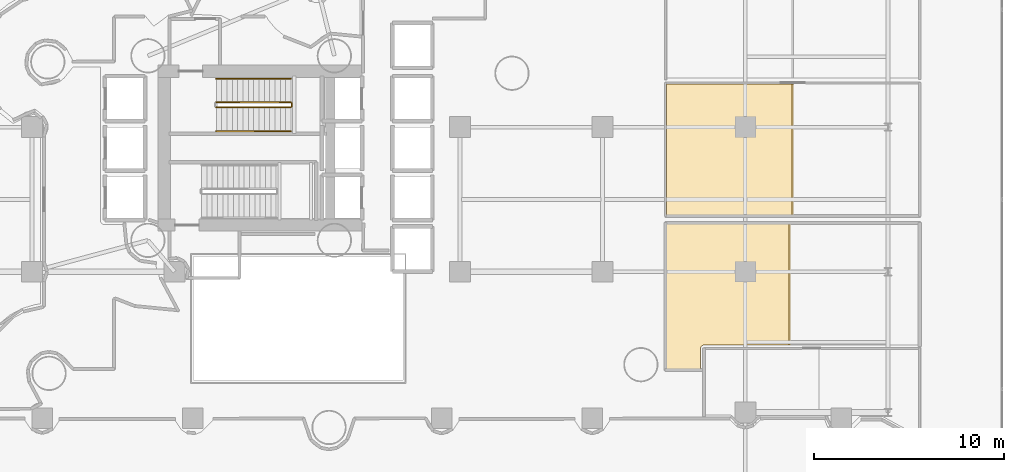
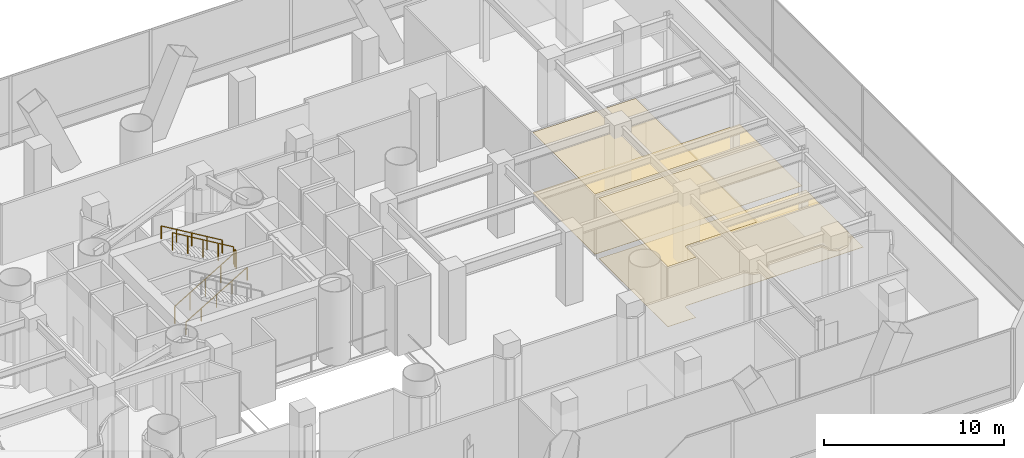
# One storey, part 40 of 42: 5 railings, 4 coverings.
"""IFC4 building model written with IfcOpenShell, lengths in metres."""

from ifc_helpers import new_model, si_unit, direction, frame, origin, origin_2d, place, context, subcontext, project, spatial, polyline, rectangle, outline, extrude, material, layer, layer_set, type_object, element, save


model = new_model("IFC4")

# Units and contexts
model_context = context("Model", 3, precision=1e-05, world=origin(), true_north=direction((0.0, 1.0)))
body_context = subcontext(model_context, "Body", "Model", "MODEL_VIEW")
ifc_project = project(units=[si_unit("LENGTHUNIT", "METRE"), si_unit("AREAUNIT", "SQUARE_METRE"), si_unit("VOLUMEUNIT", "CUBIC_METRE"), si_unit("PLANEANGLEUNIT", "RADIAN"), si_unit("MASSUNIT", "GRAM", prefix="KILO")], contexts=[model_context])

# Site, building, storey
site_placement = place(None, origin())
site = spatial("IfcSite", under=ifc_project, at=site_placement, CompositionType="ELEMENT")
building_placement = place(site_placement, origin())
building = spatial("IfcBuilding", under=site, at=building_placement, Name="Qianvela Tower", CompositionType="ELEMENT")
storey_placement = place(building_placement, frame((0.0, 0.0, 6.0)))
storey = spatial("IfcBuildingStorey", under=building, at=storey_placement, Name="L01", CompositionType="ELEMENT", Elevation=6.0)

# Coverings
ifc_material_1 = material(Name="Perforated Mineral Acoustic Ceiling Tile")
ifc_layer_1 = layer(ifc_material_1, 0.02490234375)
ifc_layer_set_1 = layer_set([ifc_layer_1], Name="Perforated Mineral Acoustic Ceiling Tile")
covering_type_1 = type_object("IfcCoveringType", Name="COV-CEIL-ACOUSTIC-25", PredefinedType="CEILING", material=ifc_layer_set_1)
covering_1_placement = place(storey_placement, frame((0.0, 0.0, 4.074951171875)))
element("IfcCovering", 1, at=covering_1_placement, inside=storey, type_object=covering_type_1, Name="L01 Acoustic Ceiling Bay 1 L01 Central Production Kitchen", PredefinedType="CEILING", context=body_context, shape_type="SweptSolid", body=[
    extrude(outline(polyline([(57.7939453125, 18.341796875), (57.78564453125, 18.34130859375), (57.77734375, 18.340087890625), (57.769287109375, 18.337890625), (57.761474609375, 18.334716796875), (57.754150390625, 18.3310546875), (57.7470703125, 18.326416015625), (57.740478515625, 18.3212890625), (57.734619140625, 18.3154296875), (57.6787109375, 18.253662109375), (57.67333984375, 18.247314453125), (57.668701171875, 18.240234375), (57.6650390625, 18.232666015625), (57.662109375, 18.224853515625), (57.659912109375, 18.216796875), (57.658447265625, 18.20849609375), (57.657958984375, 18.199951171875), (57.657958984375, 17.080078125), (55.860107421875, 17.080078125), (55.860107421875, 24.719970703125), (62.2998046875, 24.719970703125), (62.2998046875, 18.341796875), (57.7939453125, 18.341796875)])), origin(), (0.0, 0.0, 1.0), 0.025146484375),
])
covering_2_placement = place(storey_placement, frame((0.0, 0.0, 4.074951171875)))
element("IfcCovering", 2, at=covering_2_placement, inside=storey, type_object=covering_type_1, Name="L01 Acoustic Ceiling Bay 1 L01 Commons Seminar Room East", PredefinedType="CEILING", context=body_context, shape_type="SweptSolid", body=[
    extrude(outline(polyline([(55.860107421875, 25.179931640625), (55.860107421875, 32.080078125), (62.449951171875, 32.080078125), (62.449951171875, 25.179931640625), (55.860107421875, 25.179931640625)])), origin(), (0.0, 0.0, 1.0), 0.025146484375),
])
ifc_material_2 = material(Name="Engineered Acoustic Oak Timber Flooring", Category="wood")
ifc_layer_2 = layer(ifc_material_2, 0.02001953125)
ifc_layer_set_2 = layer_set([ifc_layer_2], Name="Engineered Acoustic Oak Timber Flooring")
covering_type_2 = type_object("IfcCoveringType", Name="COV-FLOOR-OAK-20", PredefinedType="FLOORING", material=ifc_layer_set_2)
covering_3_placement = place(storey_placement, origin())
element("IfcCovering", 3, at=covering_3_placement, inside=storey, type_object=covering_type_2, Name="L01 Finish Flooring L01 Central Production Kitchen", PredefinedType="FLOORING", context=body_context, shape_type="SweptSolid", body=[
    extrude(outline(polyline([(69.1201171875, 18.342041015625), (57.7939453125, 18.341796875), (57.78564453125, 18.34130859375), (57.77734375, 18.340087890625), (57.769287109375, 18.337890625), (57.761474609375, 18.334716796875), (57.754150390625, 18.3310546875), (57.7470703125, 18.326416015625), (57.740478515625, 18.3212890625), (57.734619140625, 18.3154296875), (57.6787109375, 18.253662109375), (57.67333984375, 18.247314453125), (57.668701171875, 18.240234375), (57.6650390625, 18.232666015625), (57.662109375, 18.224853515625), (57.659912109375, 18.216796875), (57.658447265625, 18.20849609375), (57.657958984375, 18.199951171875), (57.657958984375, 17.080078125), (55.860107421875, 17.080078125), (55.860107421875, 24.719970703125), (69.1201171875, 24.719970703125), (69.1201171875, 18.342041015625)])), origin(), (0.0, 0.0, 1.0), 0.02001953125),
])
covering_4_placement = place(storey_placement, origin())
element("IfcCovering", 4, at=covering_4_placement, inside=storey, type_object=covering_type_2, Name="L01 Finish Flooring L01 Commons Seminar Room East", PredefinedType="FLOORING", context=body_context, shape_type="SweptSolid", body=[
    extrude(outline(polyline([(69.1201171875, 25.179931640625), (55.860107421875, 25.179931640625), (55.860107421875, 32.080078125), (69.1201171875, 32.080078125), (69.1201171875, 25.179931640625)])), origin(), (0.0, 0.0, 1.0), 0.02001953125),
])

# Railings
ifc_material_3 = material(Name="Painted Tubular Steel Q355B", Category="steel")
railing_type_1 = type_object("IfcRailingType", Name="RL-STAIR-GUARD-1200", PredefinedType="GUARDRAIL", material=ifc_material_3)
railing_1_placement = place(storey_placement, frame((32.199951171875, 30.840087890625, 0.166748046875)))
element("IfcRailing", 5, at=railing_1_placement, inside=storey, type_object=railing_type_1, Name="L01 ST-1 stair guard 1", PredefinedType="GUARDRAIL", context=body_context, shape_type="SweptSolid", body=[
    extrude(rectangle(XDim=0.050048828125, YDim=0.0400390625, at=origin_2d()), frame((0.0, 0.0, 1.179931640625), z_axis=(0.859310244771, 0.0, 0.511454693235), x_axis=(0.0, 1.0, 0.0)), (0.0, 0.0, 1.0), 4.56201171875),
    extrude(rectangle(XDim=0.050048828125, YDim=0.050048828125, at=origin_2d()), origin(), (0.0, 0.0, 1.0), 1.159912109375),
    extrude(rectangle(XDim=0.050048828125, YDim=0.050048828125, at=origin_2d()), frame((0.97998046875, 0.0, 0.583251953125)), (0.0, 0.0, 1.0), 1.159912109375),
    extrude(rectangle(XDim=0.050048828125, YDim=0.050048828125, at=origin_2d()), frame((1.9599609375, 0.0, 1.16650390625)), (0.0, 0.0, 1.0), 1.159912109375),
    extrude(rectangle(XDim=0.050048828125, YDim=0.050048828125, at=origin_2d()), frame((2.940185546875, 0.0, 1.75)), (0.0, 0.0, 1.0), 1.159912109375),
    extrude(rectangle(XDim=0.050048828125, YDim=0.050048828125, at=origin_2d()), frame((3.920166015625, 0.0, 2.333251953125)), (0.0, 0.0, 1.0), 1.159912109375),
])
railing_2_placement = place(storey_placement, frame((36.169921875, 30.889892578125, 2.5)))
element("IfcRailing", 6, at=railing_2_placement, inside=storey, type_object=railing_type_1, Name="L01 ST-1 stair guard 2", PredefinedType="GUARDRAIL", context=body_context, shape_type="SweptSolid", body=[
    extrude(rectangle(XDim=0.050048828125, YDim=0.0400390625, at=origin_2d()), frame((0.0, 0.0, 1.179931640625), z_axis=(0.0, 1.0, 0.0), x_axis=(-1.0, 0.0, 0.0)), (0.0, 0.0, 1.0), 0.16015625),
    extrude(rectangle(XDim=0.050048828125, YDim=0.050048828125, at=origin_2d()), origin(), (0.0, 0.0, 1.0), 1.159912109375),
    extrude(rectangle(XDim=0.050048828125, YDim=0.050048828125, at=origin_2d()), frame((0.0, 0.16015625, 0.0)), (0.0, 0.0, 1.0), 1.159912109375),
])
railing_3_placement = place(storey_placement, frame((36.1201171875, 31.10009765625, 2.666748046875)))
element("IfcRailing", 7, at=railing_3_placement, inside=storey, type_object=railing_type_1, Name="L01 ST-1 stair guard 3", PredefinedType="GUARDRAIL", context=body_context, shape_type="SweptSolid", body=[
    extrude(rectangle(XDim=0.050048828125, YDim=0.0400390625, at=origin_2d()), frame((0.0, 0.0, 1.179931640625), z_axis=(-0.859310244771, 0.0, 0.511454693235), x_axis=(0.0, -1.0, 0.0)), (0.0, 0.0, 1.0), 4.56201171875),
    extrude(rectangle(XDim=0.050048828125, YDim=0.050048828125, at=origin_2d()), origin(), (0.0, 0.0, 1.0), 1.159912109375),
    extrude(rectangle(XDim=0.050048828125, YDim=0.050048828125, at=origin_2d()), frame((-0.97998046875, 0.0, 0.583251953125)), (0.0, 0.0, 1.0), 1.159912109375),
    extrude(rectangle(XDim=0.050048828125, YDim=0.050048828125, at=origin_2d()), frame((-1.9599609375, 0.0, 1.16650390625)), (0.0, 0.0, 1.0), 1.159912109375),
    extrude(rectangle(XDim=0.050048828125, YDim=0.050048828125, at=origin_2d()), frame((-2.940185546875, 0.0, 1.75)), (0.0, 0.0, 1.0), 1.159912109375),
    extrude(rectangle(XDim=0.050048828125, YDim=0.050048828125, at=origin_2d()), frame((-3.920166015625, 0.0, 2.333251953125)), (0.0, 0.0, 1.0), 1.159912109375),
])
ifc_material_4 = material(Name="Brushed Stainless Steel 304", Category="steel")
railing_type_2 = type_object("IfcRailingType", Name="RL-STAIR-HANDRAIL-900", PredefinedType="HANDRAIL", material=ifc_material_4)
railing_4_placement = place(storey_placement, frame((32.199951171875, 29.590087890625, 0.166748046875)))
element("IfcRailing", 8, at=railing_4_placement, inside=storey, type_object=railing_type_2, Name="L01 ST-1 stair handrail 1", PredefinedType="HANDRAIL", context=body_context, shape_type="SweptSolid", body=[
    extrude(rectangle(XDim=0.050048828125, YDim=0.0400390625, at=origin_2d()), frame((0.0, 0.0, 0.8798828125), z_axis=(0.859310244771, 0.0, 0.511454693235), x_axis=(0.0, 1.0, 0.0)), (0.0, 0.0, 1.0), 4.56201171875),
    extrude(rectangle(XDim=0.050048828125, YDim=0.050048828125, at=origin_2d()), origin(), (0.0, 0.0, 1.0), 0.85986328125),
    extrude(rectangle(XDim=0.050048828125, YDim=0.050048828125, at=origin_2d()), frame((0.97998046875, 0.0, 0.583251953125)), (0.0, 0.0, 1.0), 0.85986328125),
    extrude(rectangle(XDim=0.050048828125, YDim=0.050048828125, at=origin_2d()), frame((1.9599609375, 0.0, 1.16650390625)), (0.0, 0.0, 1.0), 0.85986328125),
    extrude(rectangle(XDim=0.050048828125, YDim=0.050048828125, at=origin_2d()), frame((2.940185546875, 0.0, 1.75)), (0.0, 0.0, 1.0), 0.85986328125),
    extrude(rectangle(XDim=0.050048828125, YDim=0.050048828125, at=origin_2d()), frame((3.920166015625, 0.0, 2.333251953125)), (0.0, 0.0, 1.0), 0.85986328125),
])
railing_5_placement = place(storey_placement, frame((36.1201171875, 32.35009765625, 2.666748046875)))
element("IfcRailing", 9, at=railing_5_placement, inside=storey, type_object=railing_type_2, Name="L01 ST-1 stair handrail 2", PredefinedType="HANDRAIL", context=body_context, shape_type="SweptSolid", body=[
    extrude(rectangle(XDim=0.050048828125, YDim=0.0400390625, at=origin_2d()), frame((0.0, 0.0, 0.8798828125), z_axis=(-0.859310244771, 0.0, 0.511454693235), x_axis=(0.0, -1.0, 0.0)), (0.0, 0.0, 1.0), 4.56201171875),
    extrude(rectangle(XDim=0.050048828125, YDim=0.050048828125, at=origin_2d()), origin(), (0.0, 0.0, 1.0), 0.85986328125),
    extrude(rectangle(XDim=0.050048828125, YDim=0.050048828125, at=origin_2d()), frame((-0.97998046875, 0.0, 0.583251953125)), (0.0, 0.0, 1.0), 0.85986328125),
    extrude(rectangle(XDim=0.050048828125, YDim=0.050048828125, at=origin_2d()), frame((-1.9599609375, 0.0, 1.16650390625)), (0.0, 0.0, 1.0), 0.85986328125),
    extrude(rectangle(XDim=0.050048828125, YDim=0.050048828125, at=origin_2d()), frame((-2.940185546875, 0.0, 1.75)), (0.0, 0.0, 1.0), 0.85986328125),
    extrude(rectangle(XDim=0.050048828125, YDim=0.050048828125, at=origin_2d()), frame((-3.920166015625, 0.0, 2.333251953125)), (0.0, 0.0, 1.0), 0.85986328125),
])

save(model, "model.ifc")
